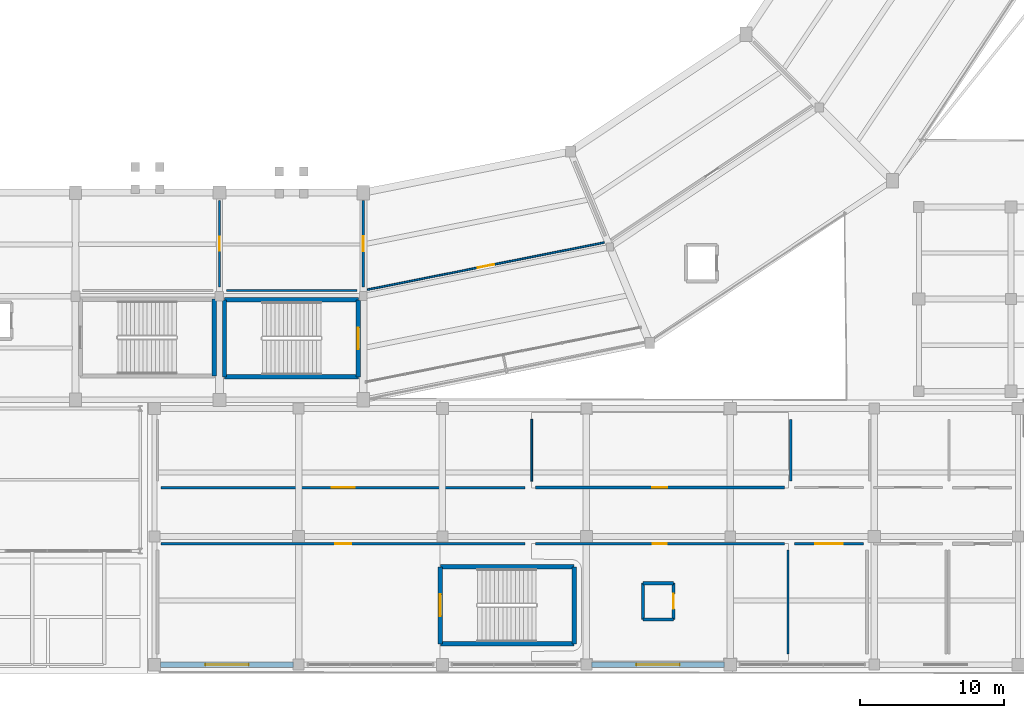
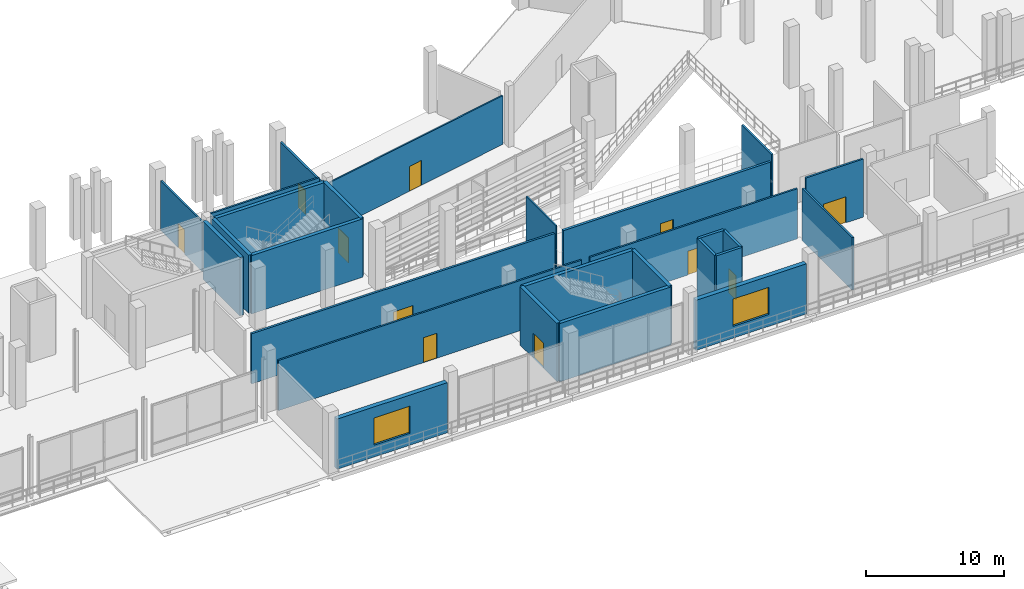
# One storey, part 76 of 114: 27 walls, 11 doors, 2 windows, 13 openings.
"""IFC4 building model written with IfcOpenShell, lengths in metres."""

from ifc_helpers import new_model, si_unit, direction, frame, frame_2d, origin, place, context, subcontext, project, spatial, rectangle, extrude, material, layer, layer_set, type_object, element, fill, save


model = new_model("IFC4")

# Units and contexts
model_context = context("Model", 3, precision=1e-05, world=origin(), true_north=direction((0.0, 1.0)))
body_context = subcontext(model_context, "Body", "Model", "MODEL_VIEW")
ifc_project = project(units=[si_unit("LENGTHUNIT", "METRE"), si_unit("AREAUNIT", "SQUARE_METRE"), si_unit("VOLUMEUNIT", "CUBIC_METRE"), si_unit("PLANEANGLEUNIT", "RADIAN"), si_unit("MASSUNIT", "GRAM", prefix="KILO")], contexts=[model_context])

# Site, building, storey
site_placement = place(None, origin())
site = spatial("IfcSite", under=ifc_project, at=site_placement, CompositionType="ELEMENT")
building_placement = place(site_placement, origin())
building = spatial("IfcBuilding", under=site, at=building_placement, Name="Candeia Ridge Stadium", CompositionType="ELEMENT")
storey_placement = place(building_placement, frame((0.0, 0.0, 5.39990234375)))
storey = spatial("IfcBuildingStorey", under=building, at=storey_placement, Name="L01", CompositionType="ELEMENT", Elevation=5.39990234375)

# Wall, opening, door
ifc_material_1 = material(Name="Gypsum Metal-Stud Partition", Category="gypsum")
ifc_layer_1 = layer(ifc_material_1, 0.14501953125, Name="Gypsum Metal-Stud Partition", Category="gypsum")
ifc_layer_set_1 = layer_set([ifc_layer_1], Name="Gypsum Metal-Stud Partition")
wall_type_1 = type_object("IfcWallType", Name="Athlete Recovery Partition 145", PredefinedType="PARTITIONING", material=ifc_layer_set_1)
wall_1_placement = place(storey_placement, frame((126.949951171875, 9.0, 0.0), z_axis=(0.0, 0.0, 1.0), x_axis=(1.0, 0.0, 0.0)))
wall_1 = element("IfcWall", 1, at=wall_1_placement, inside=storey, type_object=wall_type_1, Name="Interior partition PT-L01-0232", PredefinedType="PARTITIONING", context=body_context, shape_type="SweptSolid", body=[
    extrude(rectangle(XDim=25.300048828125, YDim=0.14501953125, at=frame_2d((12.64990234375, 0.0))), origin(), (0.0, 0.0, 1.0), 4.425048828125),
])
opening_1_placement = place(wall_1_placement, frame((12.090087890625, 0.0, 0.0)))
opening_1 = element("IfcOpeningElement", 2, at=opening_1_placement, cuts=wall_1, Name="Opening ID18", PredefinedType="OPENING", context=body_context, shape_type="SweptSolid", body=[
    extrude(rectangle(XDim=1.1201171875, YDim=2.199951171875, at=frame_2d((0.56005859375, 1.10009765625))), frame((0.0, 0.08251953125, 0.0), z_axis=(0.0, -1.0, 0.0), x_axis=(1.0, 0.0, 0.0)), (0.0, 0.0, 1.0), 0.1650390625),
])
ifc_material_2 = material(Name="Galvanized Fire-Rated Steel", Category="steel")
door_type_1 = type_object("IfcDoorType", Name="Control Room Security Door 1120x2200", OperationType="NOTDEFINED", PredefinedType="DOOR", material=ifc_material_2)
door_1_placement = place(opening_1_placement, origin())
door_1 = element("IfcDoor", 3, at=door_1_placement, inside=storey, type_object=door_type_1, Name="Interior room door D-L01-0121", OperationType="SINGLE_SWING_RIGHT", OverallHeight=2.199951171875, OverallWidth=1.1201171875, PredefinedType="DOOR", context=body_context, shape_type="SweptSolid", body=[
    extrude(rectangle(XDim=1.1201171875, YDim=2.199951171875, at=frame_2d((0.56005859375, 1.10009765625))), frame((0.0, 0.02490234375, 0.0), z_axis=(0.0, -1.0, 0.0), x_axis=(1.0, 0.0, 0.0)), (0.0, 0.0, 1.0), 0.050048828125),
])
fill(opening_1, door_1)

wall_2_placement = place(storey_placement, frame((131.0, 32.85009765625, 0.0), z_axis=(0.0, 0.0, 1.0), x_axis=(0.0, -1.0, 0.0)))
wall_2 = element("IfcWall", 4, at=wall_2_placement, inside=storey, type_object=wall_type_1, Name="Interior partition PT-L01-0312", PredefinedType="PARTITIONING", context=body_context, shape_type="SweptSolid", body=[
    extrude(rectangle(XDim=6.0, YDim=0.14501953125, at=frame_2d((3.0, 0.0))), origin(), (0.0, 0.0, 1.0), 4.385009765625),
])
opening_2_placement = place(wall_2_placement, frame((2.510009765625, 0.0, 0.0)))
opening_2 = element("IfcOpeningElement", 5, at=opening_2_placement, cuts=wall_2, Name="Opening ID12", PredefinedType="OPENING", context=body_context, shape_type="SweptSolid", body=[
    extrude(rectangle(XDim=0.97998046875, YDim=2.14990234375, at=frame_2d((0.489990234375, 1.074951171875))), frame((0.0, 0.08251953125, 0.0), z_axis=(0.0, -1.0, 0.0), x_axis=(1.0, 0.0, 0.0)), (0.0, 0.0, 1.0), 0.1650390625),
])
ifc_material_3 = material(Name="Acoustic Timber Studio Leaf", Category="wood")
door_type_2 = type_object("IfcDoorType", Name="Commentary Booth Acoustic Door 980x2150", OperationType="NOTDEFINED", PredefinedType="DOOR", material=ifc_material_3)
door_2_placement = place(opening_2_placement, frame((0.97998046875, 0.0, 0.0), z_axis=(0.0, 0.0, 1.0), x_axis=(-1.0, 0.0, 0.0)))
door_2 = element("IfcDoor", 6, at=door_2_placement, inside=storey, type_object=door_type_2, Name="Interior room door D-L01-0161", OperationType="SINGLE_SWING_LEFT", OverallHeight=2.14990234375, OverallWidth=0.97998046875, PredefinedType="DOOR", context=body_context, shape_type="SweptSolid", body=[
    extrude(rectangle(XDim=0.97998046875, YDim=2.14990234375, at=frame_2d((0.489990234375, 1.074951171875))), frame((0.0, 0.02490234375, 0.0), z_axis=(0.0, -1.0, 0.0), x_axis=(1.0, 0.0, 0.0)), (0.0, 0.0, 1.0), 0.050048828125),
])
fill(opening_2, door_2)

# Wall
wall_3_placement = place(storey_placement, frame((140.550048828125, 26.60009765625, 0.0), z_axis=(0.0, 0.0, 1.0), x_axis=(-1.0, 0.0, 0.0)))
element("IfcWall", 7, at=wall_3_placement, inside=storey, type_object=wall_type_1, Name="Demising partition PT-L01-0315", PredefinedType="PARTITIONING", context=body_context, shape_type="SweptSolid", body=[
    extrude(rectangle(XDim=9.06005859375, YDim=0.14501953125, at=frame_2d((4.530029296875, 0.0))), origin(), (0.0, 0.0, 1.0), 5.1201171875),
])

# Wall, opening, door
ifc_material_4 = material(Name="Gypsum Acoustic Twin-Stud Assembly", Category="gypsum")
ifc_layer_2 = layer(ifc_material_4, 0.159912109375, Name="Gypsum Acoustic Twin-Stud Assembly", Category="gypsum")
ifc_layer_set_2 = layer_set([ifc_layer_2], Name="Gypsum Acoustic Twin-Stud Assembly")
wall_type_2 = type_object("IfcWallType", Name="Club Dining Acoustic Partition 160", PredefinedType="PARTITIONING", material=ifc_layer_set_2)
wall_4_placement = place(storey_placement, frame((170.949951171875, 9.0, 0.0), z_axis=(0.0, 0.0, 1.0), x_axis=(1.0, 0.0, 0.0)))
wall_4 = element("IfcWall", 8, at=wall_4_placement, inside=storey, type_object=wall_type_2, Name="Interior partition PT-L01-0240", PredefinedType="PARTITIONING", context=body_context, shape_type="SweptSolid", body=[
    extrude(rectangle(XDim=4.800048828125, YDim=0.159912109375, at=frame_2d((2.39990234375, 0.0))), origin(), (0.0, 0.0, 1.0), 5.1201171875),
])
opening_3_placement = place(wall_4_placement, frame((1.449951171875, 0.0, 0.0)))
opening_3 = element("IfcOpeningElement", 9, at=opening_3_placement, cuts=wall_4, Name="Opening ID10", PredefinedType="OPENING", context=body_context, shape_type="SweptSolid", body=[
    extrude(rectangle(XDim=1.89990234375, YDim=2.300048828125, at=frame_2d((0.949951171875, 1.14990234375))), frame((0.0, 0.08984375, 0.0), z_axis=(0.0, -1.0, 0.0), x_axis=(1.0, 0.0, 0.0)), (0.0, 0.0, 1.0), 0.179931640625),
])
ifc_material_5 = material(Name="Timber Fire-Rated Acoustic", Category="wood")
door_type_3 = type_object("IfcDoorType", Name="Museum Exhibition Double Door 1900x2300", OperationType="NOTDEFINED", PredefinedType="DOOR", material=ifc_material_5)
door_3_placement = place(opening_3_placement, origin())
door_3 = element("IfcDoor", 10, at=door_3_placement, inside=storey, type_object=door_type_3, Name="Interior room door D-L01-0125", OperationType="DOUBLE_DOOR_SINGLE_SWING", OverallHeight=2.300048828125, OverallWidth=1.89990234375, PredefinedType="DOOR", context=body_context, shape_type="SweptSolid", body=[
    extrude(rectangle(XDim=1.89990234375, YDim=2.300048828125, at=frame_2d((0.949951171875, 1.14990234375))), frame((0.0, 0.02490234375, 0.0), z_axis=(0.0, -1.0, 0.0), x_axis=(1.0, 0.0, 0.0)), (0.0, 0.0, 1.0), 0.050048828125),
])
fill(opening_3, door_3)

# Wall
wall_5_placement = place(storey_placement, frame((170.699951171875, 13.35009765625, 0.0), z_axis=(0.0, 0.0, 1.0), x_axis=(0.0, 1.0, 0.0)))
element("IfcWall", 11, at=wall_5_placement, inside=storey, type_object=wall_type_2, Name="Demising partition PT-L01-0243", PredefinedType="PARTITIONING", context=body_context, shape_type="SweptSolid", body=[
    extrude(rectangle(XDim=4.2998046875, YDim=0.159912109375, at=frame_2d((2.14990234375, 0.0))), origin(), (0.0, 0.0, 1.0), 4.625),
])

# Wall, opening, door
ifc_material_6 = material(Name="Concrete Masonry Blockwork C25/30", Category="masonry")
ifc_layer_3 = layer(ifc_material_6, 0.14990234375, Name="Concrete Masonry Blockwork C25/30", Category="masonry")
ifc_layer_set_3 = layer_set([ifc_layer_3], Name="Concrete Masonry Blockwork C25/30")
wall_type_3 = type_object("IfcWallType", Name="Concourse Kiosk Partition 150", PredefinedType="PARTITIONING", material=ifc_layer_set_3)
wall_6_placement = place(storey_placement, frame((152.949951171875, 9.0, 0.0), z_axis=(0.0, 0.0, 1.0), x_axis=(1.0, 0.0, 0.0)))
wall_6 = element("IfcWall", 12, at=wall_6_placement, inside=storey, type_object=wall_type_3, Name="Interior partition PT-L01-0236", PredefinedType="PARTITIONING", context=body_context, shape_type="SweptSolid", body=[
    extrude(rectangle(XDim=17.300048828125, YDim=0.14990234375, at=frame_2d((8.64990234375, 0.0))), origin(), (0.0, 0.0, 1.0), 4.425048828125),
])
opening_4_placement = place(wall_6_placement, frame((8.14990234375, 0.0, 0.0)))
opening_4 = element("IfcOpeningElement", 13, at=opening_4_placement, cuts=wall_6, Name="Opening ID06", PredefinedType="OPENING", context=body_context, shape_type="SweptSolid", body=[
    extrude(rectangle(XDim=1.0, YDim=2.10009765625, at=frame_2d((0.5, 1.050048828125))), frame((0.0, 0.0849609375, 0.0), z_axis=(0.0, -1.0, 0.0), x_axis=(1.0, 0.0, 0.0)), (0.0, 0.0, 1.0), 0.169921875),
])
ifc_material_7 = material(Name="Moisture-Resistant Laminate", Category="wood")
door_type_4 = type_object("IfcDoorType", Name="Accessible Sanitary Door 1000x2100", OperationType="NOTDEFINED", PredefinedType="DOOR", material=ifc_material_7)
door_4_placement = place(opening_4_placement, frame((1.0, 0.0, 0.0), z_axis=(0.0, 0.0, 1.0), x_axis=(-1.0, 0.0, 0.0)))
door_4 = element("IfcDoor", 14, at=door_4_placement, inside=storey, type_object=door_type_4, Name="Interior room door D-L01-0123", OperationType="SINGLE_SWING_LEFT", OverallHeight=2.10009765625, OverallWidth=1.0, PredefinedType="DOOR", context=body_context, shape_type="SweptSolid", body=[
    extrude(rectangle(XDim=1.0, YDim=2.10009765625, at=frame_2d((0.5, 1.050048828125))), frame((0.0, 0.02490234375, 0.0), z_axis=(0.0, -1.0, 0.0), x_axis=(1.0, 0.0, 0.0)), (0.0, 0.0, 1.0), 0.050048828125),
])
fill(opening_4, door_4)

# Walls
wall_7_placement = place(storey_placement, frame((170.5, 8.550048828125, 0.0), z_axis=(0.0, 0.0, 1.0), x_axis=(0.0, -1.0, 0.0)))
element("IfcWall", 15, at=wall_7_placement, inside=storey, type_object=wall_type_3, Name="Demising partition PT-L01-0237", PredefinedType="PARTITIONING", context=body_context, shape_type="SweptSolid", body=[
    extrude(rectangle(XDim=7.199951171875, YDim=0.14990234375, at=frame_2d((3.60009765625, 0.0))), origin(), (0.0, 0.0, 1.0), 4.625),
])
ifc_material_8 = material(Name="Concrete C45/55", Category="concrete")
ifc_layer_4 = layer(ifc_material_8, 0.300048828125, Name="Concrete C45/55", Category="concrete")
ifc_layer_set_4 = layer_set([ifc_layer_4], Name="Concrete C45/55")
wall_type_4 = type_object("IfcWallType", Name="Core Shear Wall Concrete 300", PredefinedType="SHEAR", material=ifc_layer_set_4)
wall_8_placement = place(storey_placement, frame((140.649658203125, 25.94970703125, 0.0), z_axis=(0.0, 0.0, 1.0), x_axis=(-1.0, 0.0, 0.0)))
element("IfcWall", 16, at=wall_8_placement, inside=storey, type_object=wall_type_4, Name="Core C03 left shear wall L01", PredefinedType="SHEAR", context=body_context, shape_type="SweptSolid", body=[
    extrude(rectangle(XDim=9.29931640625, YDim=0.300048828125, at=frame_2d((4.649658203125, 0.0))), origin(), (0.0, 0.0, 1.0), 5.14013671875),
])
wall_9_placement = place(storey_placement, frame((131.350341796875, 25.94970703125, 0.0), z_axis=(0.0, 0.0, 1.0), x_axis=(0.0, -1.0, 0.0)))
element("IfcWall", 17, at=wall_9_placement, inside=storey, type_object=wall_type_4, Name="Core C03 far shear wall L01", PredefinedType="SHEAR", context=body_context, shape_type="SweptSolid", body=[
    extrude(rectangle(XDim=5.349365234375, YDim=0.300048828125, at=frame_2d((2.6748046875, 0.0))), origin(), (0.0, 0.0, 1.0), 5.14013671875),
])
wall_10_placement = place(storey_placement, frame((131.350341796875, 20.600341796875, 0.0), z_axis=(0.0, 0.0, 1.0), x_axis=(1.0, 0.0, 0.0)))
element("IfcWall", 18, at=wall_10_placement, inside=storey, type_object=wall_type_4, Name="Core C03 right shear wall L01", PredefinedType="SHEAR", context=body_context, shape_type="SweptSolid", body=[
    extrude(rectangle(XDim=9.29931640625, YDim=0.300048828125, at=frame_2d((4.649658203125, 0.0))), origin(), (0.0, 0.0, 1.0), 5.14013671875),
])

# Wall, opening, door
wall_11_placement = place(storey_placement, frame((140.649658203125, 20.600341796875, 0.0), z_axis=(0.0, 0.0, 1.0), x_axis=(0.0, 1.0, 0.0)))
wall_11 = element("IfcWall", 19, at=wall_11_placement, inside=storey, type_object=wall_type_4, Name="Core C03 near shear wall L01", PredefinedType="SHEAR", context=body_context, shape_type="SweptSolid", body=[
    extrude(rectangle(XDim=5.349365234375, YDim=0.300048828125, at=frame_2d((2.6748046875, 0.0))), origin(), (0.0, 0.0, 1.0), 5.14013671875),
])
opening_5_placement = place(wall_11_placement, frame((1.924560546875, 0.0, 0.0)))
opening_5 = element("IfcOpeningElement", 20, at=opening_5_placement, cuts=wall_11, Name="Opening FD01", PredefinedType="OPENING", context=body_context, shape_type="SweptSolid", body=[
    extrude(rectangle(XDim=1.5, YDim=2.199951171875, at=frame_2d((0.75, 1.10009765625))), frame((0.0, 0.159912109375, 0.0), z_axis=(0.0, -1.0, 0.0), x_axis=(1.0, 0.0, 0.0)), (0.0, 0.0, 1.0), 0.320068359375),
])
door_type_5 = type_object("IfcDoorType", Name="Exit Stair Core Fire Door 1500x2200", OperationType="NOTDEFINED", PredefinedType="DOOR", material=ifc_material_2)
door_5_placement = place(opening_5_placement, origin())
door_5 = element("IfcDoor", 21, at=door_5_placement, inside=storey, type_object=door_type_5, Name="Exit stair fire door SD-ST03-L01", OperationType="DOUBLE_DOOR_SINGLE_SWING", OverallHeight=2.199951171875, OverallWidth=1.5, PredefinedType="DOOR", context=body_context, shape_type="SweptSolid", body=[
    extrude(rectangle(XDim=1.5, YDim=2.199951171875, at=frame_2d((0.75, 1.10009765625))), frame((0.0, 0.02490234375, 0.0), z_axis=(0.0, -1.0, 0.0), x_axis=(1.0, 0.0, 0.0)), (0.0, 0.0, 1.0), 0.050048828125),
])
fill(opening_5, door_5)

# Walls
wall_12_placement = place(storey_placement, frame((130.649658203125, 20.650390625, 0.0), z_axis=(0.0, 0.0, 1.0), x_axis=(0.0, 1.0, 0.0)))
element("IfcWall", 22, at=wall_12_placement, inside=storey, type_object=wall_type_4, Name="Core C12 far shear wall L01", PredefinedType="SHEAR", context=body_context, shape_type="SweptSolid", body=[
    extrude(rectangle(XDim=5.34912109375, YDim=0.300048828125, at=frame_2d((2.674560546875, 0.0))), origin(), (0.0, 0.0, 1.0), 5.14013671875),
])
wall_13_placement = place(storey_placement, frame((146.350341796875, 2.05029296875, 0.0), z_axis=(0.0, 0.0, 1.0), x_axis=(1.0, 0.0, 0.0)))
element("IfcWall", 23, at=wall_13_placement, inside=storey, type_object=wall_type_4, Name="Core C14 left shear wall L01", PredefinedType="SHEAR", context=body_context, shape_type="SweptSolid", body=[
    extrude(rectangle(XDim=9.29931640625, YDim=0.300048828125, at=frame_2d((4.649658203125, 0.0))), origin(), (0.0, 0.0, 1.0), 5.14013671875),
])
wall_14_placement = place(storey_placement, frame((155.649658203125, 2.05029296875, 0.0), z_axis=(0.0, 0.0, 1.0), x_axis=(0.0, 1.0, 0.0)))
element("IfcWall", 24, at=wall_14_placement, inside=storey, type_object=wall_type_4, Name="Core C14 far shear wall L01", PredefinedType="SHEAR", context=body_context, shape_type="SweptSolid", body=[
    extrude(rectangle(XDim=5.349365234375, YDim=0.300048828125, at=frame_2d((2.6748046875, 0.0))), origin(), (0.0, 0.0, 1.0), 5.14013671875),
])
wall_15_placement = place(storey_placement, frame((155.649658203125, 7.399658203125, 0.0), z_axis=(0.0, 0.0, 1.0), x_axis=(-1.0, 0.0, 0.0)))
element("IfcWall", 25, at=wall_15_placement, inside=storey, type_object=wall_type_4, Name="Core C14 right shear wall L01", PredefinedType="SHEAR", context=body_context, shape_type="SweptSolid", body=[
    extrude(rectangle(XDim=9.29931640625, YDim=0.300048828125, at=frame_2d((4.649658203125, 0.0))), origin(), (0.0, 0.0, 1.0), 5.14013671875),
])

# Wall, opening, door
wall_16_placement = place(storey_placement, frame((146.350341796875, 7.399658203125, 0.0), z_axis=(0.0, 0.0, 1.0), x_axis=(0.0, -1.0, 0.0)))
wall_16 = element("IfcWall", 26, at=wall_16_placement, inside=storey, type_object=wall_type_4, Name="Core C14 near shear wall L01", PredefinedType="SHEAR", context=body_context, shape_type="SweptSolid", body=[
    extrude(rectangle(XDim=5.349365234375, YDim=0.300048828125, at=frame_2d((2.6748046875, 0.0))), origin(), (0.0, 0.0, 1.0), 5.14013671875),
])
opening_6_placement = place(wall_16_placement, frame((1.924560546875, 0.0, 0.0)))
opening_6 = element("IfcOpeningElement", 27, at=opening_6_placement, cuts=wall_16, Name="Opening FD01", PredefinedType="OPENING", context=body_context, shape_type="SweptSolid", body=[
    extrude(rectangle(XDim=1.5, YDim=2.199951171875, at=frame_2d((0.75, 1.10009765625))), frame((0.0, 0.159912109375, 0.0), z_axis=(0.0, -1.0, 0.0), x_axis=(1.0, 0.0, 0.0)), (0.0, 0.0, 1.0), 0.320068359375),
])
door_6_placement = place(opening_6_placement, origin())
door_6 = element("IfcDoor", 28, at=door_6_placement, inside=storey, type_object=door_type_5, Name="Exit stair fire door SD-ST14-L01", OperationType="DOUBLE_DOOR_SINGLE_SWING", OverallHeight=2.199951171875, OverallWidth=1.5, PredefinedType="DOOR", context=body_context, shape_type="SweptSolid", body=[
    extrude(rectangle(XDim=1.5, YDim=2.199951171875, at=frame_2d((0.75, 1.10009765625))), frame((0.0, 0.02490234375, 0.0), z_axis=(0.0, -1.0, 0.0), x_axis=(1.0, 0.0, 0.0)), (0.0, 0.0, 1.0), 0.050048828125),
])
fill(opening_6, door_6)

ifc_layer_5 = layer(ifc_material_4, 0.179931640625, Name="Gypsum Acoustic Twin-Stud Assembly", Category="gypsum")
ifc_layer_set_5 = layer_set([ifc_layer_5], Name="Gypsum Acoustic Twin-Stud Assembly")
wall_type_5 = type_object("IfcWallType", Name="Corridor Fire Partition 180", PredefinedType="PARTITIONING", material=ifc_layer_set_5)
wall_17_placement = place(storey_placement, frame((152.25, 12.89990234375, 0.0), z_axis=(0.0, 0.0, 1.0), x_axis=(-1.0, 0.0, 0.0)))
wall_17 = element("IfcWall", 29, at=wall_17_placement, inside=storey, type_object=wall_type_5, Name="Interior partition PT-L01-0234", PredefinedType="PARTITIONING", context=body_context, shape_type="SweptSolid", body=[
    extrude(rectangle(XDim=25.300048828125, YDim=0.179931640625, at=frame_2d((12.64990234375, 0.0))), origin(), (0.0, 0.0, 1.0), 4.425048828125),
])
opening_7_placement = place(wall_17_placement, frame((11.85009765625, 0.0, 0.0)))
opening_7 = element("IfcOpeningElement", 30, at=opening_7_placement, cuts=wall_17, Name="Opening ID03", PredefinedType="OPENING", context=body_context, shape_type="SweptSolid", body=[
    extrude(rectangle(XDim=1.60009765625, YDim=2.199951171875, at=frame_2d((0.800048828125, 1.10009765625))), frame((0.0, 0.099853515625, 0.0), z_axis=(0.0, -1.0, 0.0), x_axis=(1.0, 0.0, 0.0)), (0.0, 0.0, 1.0), 0.199951171875),
])
ifc_material_9 = material(Name="Solid Core Hardwood Veneer", Category="wood")
door_type_6 = type_object("IfcDoorType", Name="Athlete Dressing Double Door 1600x2200", OperationType="NOTDEFINED", PredefinedType="DOOR", material=ifc_material_9)
door_7_placement = place(opening_7_placement, origin())
door_7 = element("IfcDoor", 31, at=door_7_placement, inside=storey, type_object=door_type_6, Name="Interior room door D-L01-0122", OperationType="DOUBLE_DOOR_SINGLE_SWING", OverallHeight=2.199951171875, OverallWidth=1.60009765625, PredefinedType="DOOR", context=body_context, shape_type="SweptSolid", body=[
    extrude(rectangle(XDim=1.60009765625, YDim=2.199951171875, at=frame_2d((0.800048828125, 1.10009765625))), frame((0.0, 0.02490234375, 0.0), z_axis=(0.0, -1.0, 0.0), x_axis=(1.0, 0.0, 0.0)), (0.0, 0.0, 1.0), 0.050048828125),
])
fill(opening_7, door_7)

# Wall, opening, window
ifc_material_10 = material(Name="Concrete C40/50", Category="concrete")
ifc_layer_6 = layer(ifc_material_10, 0.3798828125, Name="Concrete C40/50", Category="concrete")
ifc_layer_set_6 = layer_set([ifc_layer_6], Name="Concrete C40/50")
wall_type_6 = type_object("IfcWallType", Name="Exterior Museum Gallery Wall 380", PredefinedType="SOLIDWALL", material=ifc_layer_set_6)
wall_18_placement = place(storey_placement, frame((126.9130859375, 0.60009765625, 0.0), z_axis=(0.0, 0.0, 1.0), x_axis=(1.0, 0.0, 0.0)))
wall_18 = element("IfcWall", 32, at=wall_18_placement, inside=storey, type_object=wall_type_6, Name="Exterior facade wall EW-L01-0173", PredefinedType="SOLIDWALL", context=body_context, shape_type="SweptSolid", body=[
    extrude(rectangle(XDim=9.223876953125, YDim=0.3798828125, at=frame_2d((4.61181640625, 0.0))), origin(), (0.0, 0.0, 1.0), 4.425048828125),
])
opening_8_placement = place(wall_18_placement, frame((3.112060546875, 0.0, 1.050048828125)))
opening_8 = element("IfcOpeningElement", 33, at=opening_8_placement, cuts=wall_18, Name="Opening W01", PredefinedType="OPENING", context=body_context, shape_type="SweptSolid", body=[
    extrude(rectangle(XDim=3.0, YDim=2.39990234375, at=frame_2d((1.5, 1.199951171875))), frame((0.0, 0.199951171875, 0.0), z_axis=(0.0, -1.0, 0.0), x_axis=(1.0, 0.0, 0.0)), (0.0, 0.0, 1.0), 0.39990234375),
])
ifc_material_11 = material(Name="Tempered Solar-Control Double Glazing", Category="glass")
window_type = type_object("IfcWindowType", Name="Boulevard Showcase Window 3000x2400", PartitioningType="SINGLE_PANEL", PredefinedType="WINDOW", material=ifc_material_11)
window_1_placement = place(opening_8_placement, origin())
window_1 = element("IfcWindow", 34, at=window_1_placement, inside=storey, type_object=window_type, Name="Exterior window WIN-L01-094", OverallHeight=2.39990234375, OverallWidth=3.0, PartitioningType="SINGLE_PANEL", PredefinedType="WINDOW", context=body_context, shape_type="SweptSolid", body=[
    extrude(rectangle(XDim=3.0, YDim=2.39990234375, at=frame_2d((1.5, 1.199951171875))), frame((0.0, 0.030029296875, 0.0), z_axis=(0.0, -1.0, 0.0), x_axis=(1.0, 0.0, 0.0)), (0.0, 0.0, 1.0), 0.06005859375),
])
fill(opening_8, window_1)

wall_19_placement = place(storey_placement, frame((156.863037109375, 0.60009765625, 0.0), z_axis=(0.0, 0.0, 1.0), x_axis=(1.0, 0.0, 0.0)))
wall_19 = element("IfcWall", 35, at=wall_19_placement, inside=storey, type_object=wall_type_6, Name="Exterior facade wall EW-L01-0174", PredefinedType="SOLIDWALL", context=body_context, shape_type="SweptSolid", body=[
    extrude(rectangle(XDim=9.223876953125, YDim=0.3798828125, at=frame_2d((4.61181640625, 0.0))), origin(), (0.0, 0.0, 1.0), 4.425048828125),
])
opening_9_placement = place(wall_19_placement, frame((3.112060546875, 0.0, 1.050048828125)))
opening_9 = element("IfcOpeningElement", 36, at=opening_9_placement, cuts=wall_19, Name="Opening W01", PredefinedType="OPENING", context=body_context, shape_type="SweptSolid", body=[
    extrude(rectangle(XDim=3.0, YDim=2.39990234375, at=frame_2d((1.5, 1.199951171875))), frame((0.0, 0.199951171875, 0.0), z_axis=(0.0, -1.0, 0.0), x_axis=(1.0, 0.0, 0.0)), (0.0, 0.0, 1.0), 0.39990234375),
])
window_2_placement = place(opening_9_placement, origin())
window_2 = element("IfcWindow", 37, at=window_2_placement, inside=storey, type_object=window_type, Name="Exterior window WIN-L01-095", OverallHeight=2.39990234375, OverallWidth=3.0, PartitioningType="SINGLE_PANEL", PredefinedType="WINDOW", context=body_context, shape_type="SweptSolid", body=[
    extrude(rectangle(XDim=3.0, YDim=2.39990234375, at=frame_2d((1.5, 1.199951171875))), frame((0.0, 0.030029296875, 0.0), z_axis=(0.0, -1.0, 0.0), x_axis=(1.0, 0.0, 0.0)), (0.0, 0.0, 1.0), 0.06005859375),
])
fill(opening_9, window_2)

# Wall, opening, door
ifc_layer_7 = layer(ifc_material_4, 0.1650390625, Name="Gypsum Acoustic Twin-Stud Assembly", Category="gypsum")
ifc_layer_set_7 = layer_set([ifc_layer_7], Name="Gypsum Acoustic Twin-Stud Assembly")
wall_type_7 = type_object("IfcWallType", Name="Hospitality Suite Acoustic Wall 165", PredefinedType="PARTITIONING", material=ifc_layer_set_7)
wall_20_placement = place(storey_placement, frame((141.0, 32.85009765625, 0.0), z_axis=(0.0, 0.0, 1.0), x_axis=(0.0, -1.0, 0.0)))
wall_20 = element("IfcWall", 38, at=wall_20_placement, inside=storey, type_object=wall_type_7, Name="Interior partition PT-L01-0314", PredefinedType="PARTITIONING", context=body_context, shape_type="SweptSolid", body=[
    extrude(rectangle(XDim=6.0, YDim=0.1650390625, at=frame_2d((3.0, 0.0))), origin(), (0.0, 0.0, 1.0), 4.30517578125),
])
opening_10_placement = place(wall_20_placement, frame((2.489990234375, 0.0, 0.0)))
opening_10 = element("IfcOpeningElement", 39, at=opening_10_placement, cuts=wall_20, Name="Opening ID16", PredefinedType="OPENING", context=body_context, shape_type="SweptSolid", body=[
    extrude(rectangle(XDim=1.02001953125, YDim=2.14990234375, at=frame_2d((0.510009765625, 1.074951171875))), frame((0.0, 0.092529296875, 0.0), z_axis=(0.0, -1.0, 0.0), x_axis=(1.0, 0.0, 0.0)), (0.0, 0.0, 1.0), 0.18505859375),
])
ifc_material_12 = material(Name="Solid Core Cedar Veneer", Category="wood")
door_type_7 = type_object("IfcDoorType", Name="Community Classroom Door 1020x2150", OperationType="NOTDEFINED", PredefinedType="DOOR", material=ifc_material_12)
door_8_placement = place(opening_10_placement, frame((1.02001953125, 0.0, 0.0), z_axis=(0.0, 0.0, 1.0), x_axis=(-1.0, 0.0, 0.0)))
door_8 = element("IfcDoor", 40, at=door_8_placement, inside=storey, type_object=door_type_7, Name="Interior room door D-L01-0162", OperationType="SINGLE_SWING_RIGHT", OverallHeight=2.14990234375, OverallWidth=1.02001953125, PredefinedType="DOOR", context=body_context, shape_type="SweptSolid", body=[
    extrude(rectangle(XDim=1.02001953125, YDim=2.14990234375, at=frame_2d((0.510009765625, 1.074951171875))), frame((0.0, 0.02490234375, 0.0), z_axis=(0.0, -1.0, 0.0), x_axis=(1.0, 0.0, 0.0)), (0.0, 0.0, 1.0), 0.050048828125),
])
fill(opening_10, door_8)

# Wall
ifc_layer_8 = layer(ifc_material_10, 0.219970703125, Name="Concrete C40/50", Category="concrete")
ifc_layer_set_8 = layer_set([ifc_layer_8], Name="Concrete C40/50")
wall_type_8 = type_object("IfcWallType", Name="Lift & Riser Shaft Wall 220", PredefinedType="SHEAR", material=ifc_layer_set_8)
wall_21_placement = place(storey_placement, frame((160.43994140625, 3.739990234375, 0.0), z_axis=(0.0, 0.0, 1.0), x_axis=(1.0, 0.0, 0.0)))
element("IfcWall", 41, at=wall_21_placement, inside=storey, type_object=wall_type_8, Name="Lift PL6 shaft wall L01 south", PredefinedType="SHEAR", context=body_context, shape_type="SweptSolid", body=[
    extrude(rectangle(XDim=2.1201171875, YDim=0.219970703125, at=frame_2d((1.06005859375, 0.0))), origin(), (0.0, 0.0, 1.0), 5.14013671875),
])

# Wall, opening, door
wall_22_placement = place(storey_placement, frame((162.56005859375, 3.739990234375, 0.0), z_axis=(0.0, 0.0, 1.0), x_axis=(0.0, 1.0, 0.0)))
wall_22 = element("IfcWall", 42, at=wall_22_placement, inside=storey, type_object=wall_type_8, Name="Lift PL6 shaft wall L01 east", PredefinedType="SHEAR", context=body_context, shape_type="SweptSolid", body=[
    extrude(rectangle(XDim=2.52001953125, YDim=0.219970703125, at=frame_2d((1.260009765625, 0.0))), origin(), (0.0, 0.0, 1.0), 5.14013671875),
])
opening_11_placement = place(wall_22_placement, frame((0.735107421875, 0.0, 0.0)))
opening_11 = element("IfcOpeningElement", 43, at=opening_11_placement, cuts=wall_22, Name="Opening LD02", PredefinedType="OPENING", context=body_context, shape_type="SweptSolid", body=[
    extrude(rectangle(XDim=1.050048828125, YDim=2.14990234375, at=frame_2d((0.52490234375, 1.074951171875))), frame((0.0, 0.119873046875, 0.0), z_axis=(0.0, -1.0, 0.0), x_axis=(1.0, 0.0, 0.0)), (0.0, 0.0, 1.0), 0.239990234375),
])
ifc_material_13 = material(Name="Brushed Stainless Steel", Category="steel")
door_type_8 = type_object("IfcDoorType", Name="Passenger Lift Landing Door 1050x2150", OperationType="NOTDEFINED", PredefinedType="DOOR", material=ifc_material_13)
door_9_placement = place(opening_11_placement, origin())
door_9 = element("IfcDoor", 44, at=door_9_placement, inside=storey, type_object=door_type_8, Name="Lift landing sliding door LD-PL6-L01", OperationType="DOUBLE_DOOR_SLIDING", OverallHeight=2.14990234375, OverallWidth=1.050048828125, PredefinedType="DOOR", context=body_context, shape_type="SweptSolid", body=[
    extrude(rectangle(XDim=1.050048828125, YDim=2.14990234375, at=frame_2d((0.52490234375, 1.074951171875))), frame((0.0, 0.02490234375, 0.0), z_axis=(0.0, -1.0, 0.0), x_axis=(1.0, 0.0, 0.0)), (0.0, 0.0, 1.0), 0.050048828125),
])
fill(opening_11, door_9)

# Walls
wall_23_placement = place(storey_placement, frame((162.56005859375, 6.260009765625, 0.0), z_axis=(0.0, 0.0, 1.0), x_axis=(-1.0, 0.0, 0.0)))
element("IfcWall", 45, at=wall_23_placement, inside=storey, type_object=wall_type_8, Name="Lift PL6 shaft wall L01 north", PredefinedType="SHEAR", context=body_context, shape_type="SweptSolid", body=[
    extrude(rectangle(XDim=2.1201171875, YDim=0.219970703125, at=frame_2d((1.06005859375, 0.0))), origin(), (0.0, 0.0, 1.0), 5.14013671875),
])
wall_24_placement = place(storey_placement, frame((160.43994140625, 6.260009765625, 0.0), z_axis=(0.0, 0.0, 1.0), x_axis=(0.0, -1.0, 0.0)))
element("IfcWall", 46, at=wall_24_placement, inside=storey, type_object=wall_type_8, Name="Lift PL6 shaft wall L01 west", PredefinedType="SHEAR", context=body_context, shape_type="SweptSolid", body=[
    extrude(rectangle(XDim=2.52001953125, YDim=0.219970703125, at=frame_2d((1.260009765625, 0.0))), origin(), (0.0, 0.0, 1.0), 5.14013671875),
])

# Wall, opening, door
ifc_material_14 = material(Name="Moisture-Resistant Masonry & Tile", Category="masonry")
ifc_layer_9 = layer(ifc_material_14, 0.2099609375, Name="Moisture-Resistant Masonry & Tile", Category="masonry")
ifc_layer_set_9 = layer_set([ifc_layer_9], Name="Moisture-Resistant Masonry & Tile")
wall_type_9 = type_object("IfcWallType", Name="Sanitary Wet-Wall Plumbing Chase 210", PredefinedType="PLUMBINGWALL", material=ifc_layer_set_9)
wall_25_placement = place(storey_placement, frame((170.25, 12.89990234375, 0.0), z_axis=(0.0, 0.0, 1.0), x_axis=(-1.0, 0.0, 0.0)))
wall_25 = element("IfcWall", 47, at=wall_25_placement, inside=storey, type_object=wall_type_9, Name="Interior partition PT-L01-0238", PredefinedType="PLUMBINGWALL", context=body_context, shape_type="SweptSolid", body=[
    extrude(rectangle(XDim=17.300048828125, YDim=0.2099609375, at=frame_2d((8.64990234375, 0.0))), origin(), (0.0, 0.0, 1.0), 4.425048828125),
])
opening_12_placement = place(wall_25_placement, frame((8.125, 0.0, 0.0)))
opening_12 = element("IfcOpeningElement", 48, at=opening_12_placement, cuts=wall_25, Name="Opening ID01", PredefinedType="OPENING", context=body_context, shape_type="SweptSolid", body=[
    extrude(rectangle(XDim=1.050048828125, YDim=2.199951171875, at=frame_2d((0.52490234375, 1.10009765625))), frame((0.0, 0.114990234375, 0.0), z_axis=(0.0, -1.0, 0.0), x_axis=(1.0, 0.0, 0.0)), (0.0, 0.0, 1.0), 0.22998046875),
])
ifc_material_15 = material(Name="Western Red Cedar Acoustic Veneer", Category="wood")
door_type_9 = type_object("IfcDoorType", Name="Hospitality Suite Entrance Door 1050x2200", OperationType="NOTDEFINED", PredefinedType="DOOR", material=ifc_material_15)
door_10_placement = place(opening_12_placement, frame((1.050048828125, 0.0, 0.0), z_axis=(0.0, 0.0, 1.0), x_axis=(-1.0, 0.0, 0.0)))
door_10 = element("IfcDoor", 49, at=door_10_placement, inside=storey, type_object=door_type_9, Name="Interior room door D-L01-0124", OperationType="SINGLE_SWING_RIGHT", OverallHeight=2.199951171875, OverallWidth=1.050048828125, PredefinedType="DOOR", context=body_context, shape_type="SweptSolid", body=[
    extrude(rectangle(XDim=1.050048828125, YDim=2.199951171875, at=frame_2d((0.52490234375, 1.10009765625))), frame((0.0, 0.02490234375, 0.0), z_axis=(0.0, -1.0, 0.0), x_axis=(1.0, 0.0, 0.0)), (0.0, 0.0, 1.0), 0.050048828125),
])
fill(opening_12, door_10)

# Wall
ifc_layer_10 = layer(ifc_material_1, 0.1201171875, Name="Gypsum Metal-Stud Partition", Category="gypsum")
ifc_layer_set_10 = layer_set([ifc_layer_10], Name="Gypsum Metal-Stud Partition")
wall_type_10 = type_object("IfcWallType", Name="Suite Internal Divider 120", PredefinedType="PARTITIONING", material=ifc_layer_set_10)
wall_26_placement = place(storey_placement, frame((152.699951171875, 13.35009765625, 0.0), z_axis=(0.0, 0.0, 1.0), x_axis=(0.0, 1.0, 0.0)))
element("IfcWall", 50, at=wall_26_placement, inside=storey, type_object=wall_type_10, Name="Demising partition PT-L01-0239", PredefinedType="PARTITIONING", context=body_context, shape_type="SweptSolid", body=[
    extrude(rectangle(XDim=4.2998046875, YDim=0.1201171875, at=frame_2d((2.14990234375, 0.0))), origin(), (0.0, 0.0, 1.0), 4.625),
])

# Wall, opening, door
wall_27_placement = place(storey_placement, frame((157.745849609375, 29.930908203125, 0.0), z_axis=(0.0, 0.0, 1.0), x_axis=(-0.980786027867, -0.195086564225, 0.0)))
wall_27 = element("IfcWall", 51, at=wall_27_placement, inside=storey, type_object=wall_type_10, Name="Interior partition PT-L01-0316", PredefinedType="PARTITIONING", context=body_context, shape_type="SweptSolid", body=[
    extrude(rectangle(XDim=16.783203125, YDim=0.1201171875, at=frame_2d((8.3916015625, 0.0))), origin(), (0.0, 0.0, 1.0), 4.30517578125),
])
opening_13_placement = place(wall_27_placement, frame((7.816650390625, 0.0, 0.0)))
opening_13 = element("IfcOpeningElement", 52, at=opening_13_placement, cuts=wall_27, Name="Opening ID02", PredefinedType="OPENING", context=body_context, shape_type="SweptSolid", body=[
    extrude(rectangle(XDim=1.14990234375, YDim=2.199951171875, at=frame_2d((0.574951171875, 1.10009765625))), frame((0.0, 0.070068359375, 0.0), z_axis=(0.0, -1.0, 0.0), x_axis=(1.0, 0.0, 0.0)), (0.0, 0.0, 1.0), 0.14013671875),
])
door_type_10 = type_object("IfcDoorType", Name="Broadcast & Press Studio Door 1150x2200", OperationType="NOTDEFINED", PredefinedType="DOOR", material=ifc_material_3)
door_11_placement = place(opening_13_placement, origin())
door_11 = element("IfcDoor", 53, at=door_11_placement, inside=storey, type_object=door_type_10, Name="Interior room door D-L01-0163", OperationType="SINGLE_SWING_LEFT", OverallHeight=2.199951171875, OverallWidth=1.14990234375, PredefinedType="DOOR", context=body_context, shape_type="SweptSolid", body=[
    extrude(rectangle(XDim=1.14990234375, YDim=2.199951171875, at=frame_2d((0.574951171875, 1.10009765625))), frame((0.0, 0.02490234375, 0.0), z_axis=(0.0, -1.0, 0.0), x_axis=(1.0, 0.0, 0.0)), (0.0, 0.0, 1.0), 0.050048828125),
])
fill(opening_13, door_11)

save(model, "model.ifc")
